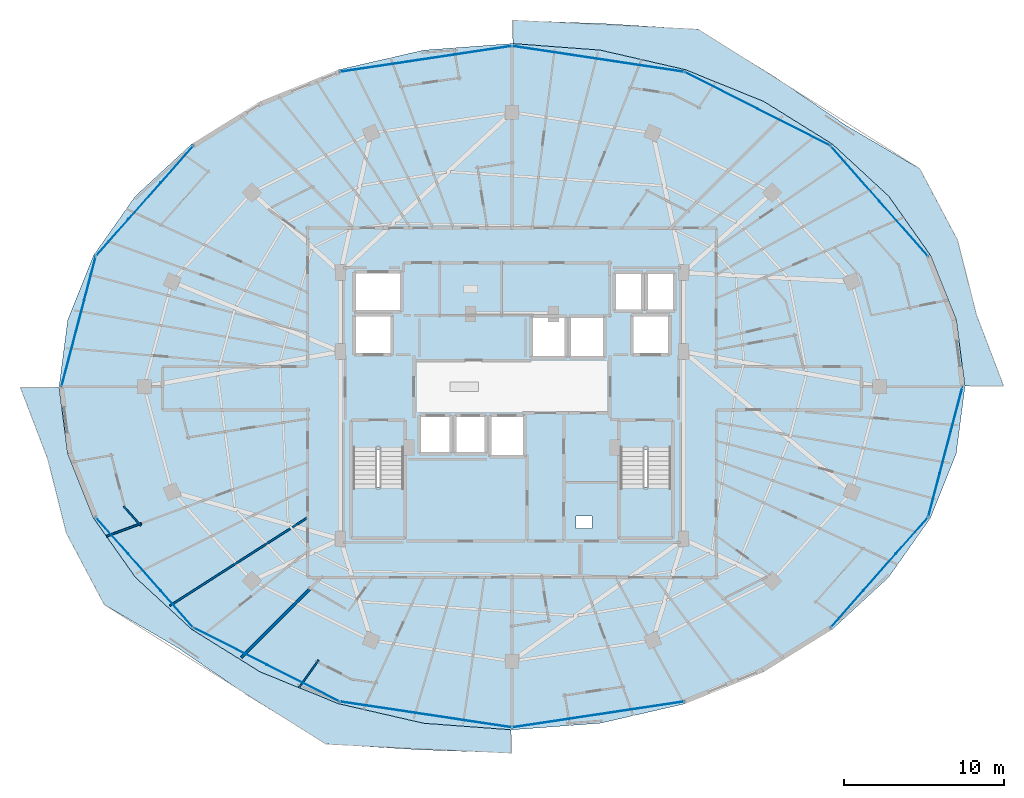
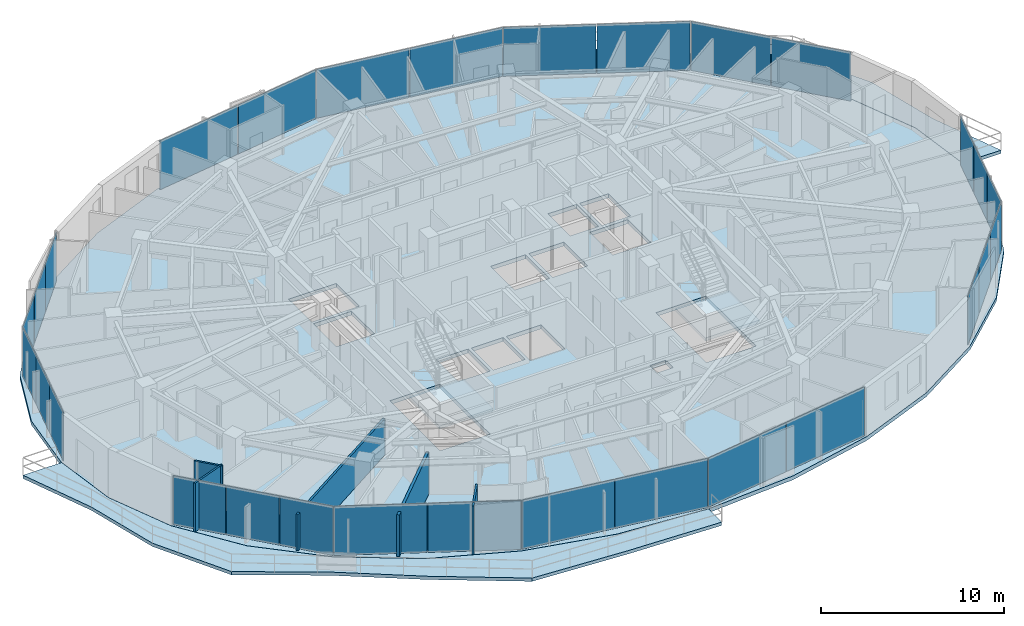
# One storey, part 23 of 34: 29 plates, 5 slabs, 5 walls, 6 elements without a shape of their own.
"""IFC4 building model written with IfcOpenShell, lengths in metres."""

from ifc_helpers import new_model, si_unit, direction, frame, frame_2d, origin, origin_2d, place, context, subcontext, project, spatial, polyline, rectangle, outline, extrude, material, layer, layer_set, type_object, element, aggregate, save


model = new_model("IFC4")

# Units and contexts
model_context = context("Model", 3, precision=1e-05, world=origin(), true_north=direction((0.0, 1.0)))
body_context = subcontext(model_context, "Body", "Model", "MODEL_VIEW")
ifc_project = project(units=[si_unit("LENGTHUNIT", "METRE"), si_unit("AREAUNIT", "SQUARE_METRE"), si_unit("VOLUMEUNIT", "CUBIC_METRE"), si_unit("PLANEANGLEUNIT", "RADIAN"), si_unit("MASSUNIT", "GRAM", prefix="KILO")], contexts=[model_context])

# Site, building, storey
site_placement = place(None, origin())
site = spatial("IfcSite", under=ifc_project, at=site_placement, CompositionType="ELEMENT")
building_placement = place(site_placement, origin())
building = spatial("IfcBuilding", under=site, at=building_placement, Name="Vorneva Point Tower", CompositionType="ELEMENT")
storey_placement = place(building_placement, frame((0.0, 0.0, 182.60009765625)))
storey = spatial("IfcBuildingStorey", under=building, at=storey_placement, Name="L49", CompositionType="ELEMENT", Elevation=182.60009765625)

# Curtain wall, plates
ifc_material_1 = material(Name="Pale anodised aluminium", Category="aluminium")
curtain_wall_type = type_object("IfcCurtainWallType", Name="CW-RES-SYS", PredefinedType="NOTDEFINED", material=ifc_material_1)
curtain_wall_1_placement = place(storey_placement, origin())
curtain_wall_1 = element("IfcCurtainWall", 1, at=curtain_wall_1_placement, inside=storey, type_object=curtain_wall_type, Name="L49 Unitised Curtain Wall CW-L49-R01", PredefinedType="NOTDEFINED")
ifc_material_2 = material(Name="Double low-e laminated glass IGU", Category="glass")
ifc_layer_1 = layer(ifc_material_2, 0.035888671875)
ifc_layer_set_1 = layer_set([ifc_layer_1], Name="Double low-e laminated glass IGU")
plate_type = type_object("IfcPlateType", Name="CW-PNL-VIS", PredefinedType="CURTAIN_PANEL", material=ifc_layer_set_1)
plate_1_placement = place(storey_placement, frame((62.55126953125, 35.90185546875, -0.02001953125), z_axis=(0.0, 0.0, 1.0), x_axis=(-0.662110096764, 0.74940657841, 0.0)))
plate_1 = element("IfcPlate", 2, at=plate_1_placement, type_object=plate_type, Name="CW-L49-R01 Glazed Panel 01A", PredefinedType="CURTAIN_PANEL", context=body_context, shape_type="SweptSolid", body=[
    extrude(rectangle(XDim=4.5712890625, YDim=0.035888671875, at=origin_2d()), origin(), (0.0, 0.0, 1.0), 3.280029296875),
])
plate_2_placement = place(storey_placement, frame((59.491455078125, 39.364990234375, -0.02001953125), z_axis=(0.0, 0.0, 1.0), x_axis=(-0.662110096764, 0.74940657841, 0.0)))
plate_2 = element("IfcPlate", 3, at=plate_2_placement, type_object=plate_type, Name="CW-L49-R01 Glazed Panel 01B", PredefinedType="CURTAIN_PANEL", context=body_context, shape_type="SweptSolid", body=[
    extrude(rectangle(XDim=4.5712890625, YDim=0.035888671875, at=origin_2d()), origin(), (0.0, 0.0, 1.0), 3.280029296875),
])
plate_3_placement = place(storey_placement, frame((55.672119140625, 42.253662109375, -0.02001953125), z_axis=(0.0, 0.0, 1.0), x_axis=(-0.892514983762, 0.451017742179, 0.0)))
plate_3 = element("IfcPlate", 4, at=plate_3_placement, type_object=plate_type, Name="CW-L49-R01 Glazed Panel 02A", PredefinedType="CURTAIN_PANEL", context=body_context, shape_type="SweptSolid", body=[
    extrude(rectangle(XDim=5.080810546875, YDim=0.035888671875, at=origin_2d()), origin(), (0.0, 0.0, 1.0), 3.280029296875),
])
plate_4_placement = place(storey_placement, frame((51.0927734375, 44.56787109375, -0.02001953125), z_axis=(0.0, 0.0, 1.0), x_axis=(-0.892514983762, 0.451017742179, 0.0)))
plate_4 = element("IfcPlate", 5, at=plate_4_placement, type_object=plate_type, Name="CW-L49-R01 Glazed Panel 02B", PredefinedType="CURTAIN_PANEL", context=body_context, shape_type="SweptSolid", body=[
    extrude(rectangle(XDim=5.080810546875, YDim=0.035888671875, at=origin_2d()), origin(), (0.0, 0.0, 1.0), 3.280029296875),
])
plate_5_placement = place(storey_placement, frame((46.102294921875, 46.131103515625, -0.02001953125), z_axis=(0.0, 0.0, 1.0), x_axis=(-0.988873520862, 0.148758729957, 0.0)))
plate_5 = element("IfcPlate", 6, at=plate_5_placement, type_object=plate_type, Name="CW-L49-R01 Glazed Panel 03A", PredefinedType="CURTAIN_PANEL", context=body_context, shape_type="SweptSolid", body=[
    extrude(rectangle(XDim=5.412353515625, YDim=0.035888671875, at=origin_2d()), origin(), (0.0, 0.0, 1.0), 3.280029296875),
])
plate_6_placement = place(storey_placement, frame((40.70068359375, 46.943603515625, -0.02001953125), z_axis=(0.0, 0.0, 1.0), x_axis=(-0.988873520862, 0.148758729957, 0.0)))
plate_6 = element("IfcPlate", 7, at=plate_6_placement, type_object=plate_type, Name="CW-L49-R01 Glazed Panel 03B", PredefinedType="CURTAIN_PANEL", context=body_context, shape_type="SweptSolid", body=[
    extrude(rectangle(XDim=5.412353515625, YDim=0.035888671875, at=origin_2d()), origin(), (0.0, 0.0, 1.0), 3.280029296875),
])
plate_7_placement = place(storey_placement, frame((35.29931640625, 46.943603515625, -0.02001953125), z_axis=(0.0, 0.0, 1.0), x_axis=(-0.988873520862, -0.148758729957, 0.0)))
plate_7 = element("IfcPlate", 8, at=plate_7_placement, type_object=plate_type, Name="CW-L49-R01 Glazed Panel 04A", PredefinedType="CURTAIN_PANEL", context=body_context, shape_type="SweptSolid", body=[
    extrude(rectangle(XDim=5.412353515625, YDim=0.035888671875, at=origin_2d()), origin(), (0.0, 0.0, 1.0), 3.280029296875),
])
plate_8_placement = place(storey_placement, frame((29.897705078125, 46.131103515625, -0.02001953125), z_axis=(0.0, 0.0, 1.0), x_axis=(-0.988873520862, -0.148758729957, 0.0)))
plate_8 = element("IfcPlate", 9, at=plate_8_placement, type_object=plate_type, Name="CW-L49-R01 Glazed Panel 04B", PredefinedType="CURTAIN_PANEL", context=body_context, shape_type="SweptSolid", body=[
    extrude(rectangle(XDim=5.412353515625, YDim=0.035888671875, at=origin_2d()), origin(), (0.0, 0.0, 1.0), 3.280029296875),
])
aggregate(curtain_wall_1, [plate_1, plate_2, plate_3, plate_4, plate_5, plate_6, plate_7, plate_8])

curtain_wall_2_placement = place(storey_placement, origin())
curtain_wall_2 = element("IfcCurtainWall", 10, at=curtain_wall_2_placement, inside=storey, type_object=curtain_wall_type, Name="L49 Unitised Curtain Wall CW-L49-R02", PredefinedType="NOTDEFINED")
plate_9_placement = place(storey_placement, frame((17.0185546875, 39.9423828125, -0.02001953125), z_axis=(0.0, 0.0, 1.0), x_axis=(-0.662110096764, -0.74940657841, 0.0)))
plate_9 = element("IfcPlate", 11, at=plate_9_placement, type_object=plate_type, Name="CW-L49-R02 Glazed Panel 01A", PredefinedType="CURTAIN_PANEL", context=body_context, shape_type="SweptSolid", body=[
    extrude(rectangle(XDim=3.03076171875, YDim=0.035888671875, at=origin_2d()), origin(), (0.0, 0.0, 1.0), 3.280029296875),
])
plate_10_placement = place(storey_placement, frame((14.978759765625, 37.633544921875, -0.02001953125), z_axis=(0.0, 0.0, 1.0), x_axis=(-0.662110096764, -0.74940657841, 0.0)))
plate_10 = element("IfcPlate", 12, at=plate_10_placement, type_object=plate_type, Name="CW-L49-R02 Glazed Panel 01B", PredefinedType="CURTAIN_PANEL", context=body_context, shape_type="SweptSolid", body=[
    extrude(rectangle(XDim=3.03076171875, YDim=0.035888671875, at=origin_2d()), origin(), (0.0, 0.0, 1.0), 3.280029296875),
])
plate_11_placement = place(storey_placement, frame((12.938720703125, 35.32470703125, -0.02001953125), z_axis=(0.0, 0.0, 1.0), x_axis=(-0.662110096764, -0.74940657841, 0.0)))
plate_11 = element("IfcPlate", 13, at=plate_11_placement, type_object=plate_type, Name="CW-L49-R02 Glazed Panel 01C", PredefinedType="CURTAIN_PANEL", context=body_context, shape_type="SweptSolid", body=[
    extrude(rectangle(XDim=3.03076171875, YDim=0.035888671875, at=origin_2d()), origin(), (0.0, 0.0, 1.0), 3.280029296875),
])
plate_12_placement = place(storey_placement, frame((11.560791015625, 32.80859375, -0.02001953125), z_axis=(0.0, 0.0, 1.0), x_axis=(-0.254365646708, -0.967108121036, 0.0)))
plate_12 = element("IfcPlate", 14, at=plate_12_placement, type_object=plate_type, Name="CW-L49-R02 Glazed Panel 02A", PredefinedType="CURTAIN_PANEL", context=body_context, shape_type="SweptSolid", body=[
    extrude(rectangle(XDim=2.76611328125, YDim=0.035888671875, at=origin_2d()), origin(), (0.0, 0.0, 1.0), 3.280029296875),
])
plate_13_placement = place(storey_placement, frame((10.844482421875, 30.085205078125, -0.02001953125), z_axis=(0.0, 0.0, 1.0), x_axis=(-0.254365646708, -0.967108121036, 0.0)))
plate_13 = element("IfcPlate", 15, at=plate_13_placement, type_object=plate_type, Name="CW-L49-R02 Glazed Panel 02B", PredefinedType="CURTAIN_PANEL", context=body_context, shape_type="SweptSolid", body=[
    extrude(rectangle(XDim=2.76611328125, YDim=0.035888671875, at=origin_2d()), origin(), (0.0, 0.0, 1.0), 3.280029296875),
])
plate_14_placement = place(storey_placement, frame((10.128173828125, 27.36181640625, -0.02001953125), z_axis=(0.0, 0.0, 1.0), x_axis=(-0.254365646708, -0.967108121036, 0.0)))
plate_14 = element("IfcPlate", 16, at=plate_14_placement, type_object=plate_type, Name="CW-L49-R02 Glazed Panel 02C", PredefinedType="CURTAIN_PANEL", context=body_context, shape_type="SweptSolid", body=[
    extrude(rectangle(XDim=2.76611328125, YDim=0.035888671875, at=origin_2d()), origin(), (0.0, 0.0, 1.0), 3.280029296875),
])
aggregate(curtain_wall_2, [plate_9, plate_10, plate_11, plate_12, plate_13, plate_14])

curtain_wall_3_placement = place(storey_placement, origin())
curtain_wall_3 = element("IfcCurtainWall", 17, at=curtain_wall_3_placement, inside=storey, type_object=curtain_wall_type, Name="L49 Unitised Curtain Wall CW-L49-R03", PredefinedType="NOTDEFINED")
plate_15_placement = place(storey_placement, frame((12.938720703125, 16.67529296875, -0.02001953125), z_axis=(0.0, 0.0, 1.0), x_axis=(0.662110096764, -0.74940657841, 0.0)))
plate_15 = element("IfcPlate", 18, at=plate_15_placement, type_object=plate_type, Name="CW-L49-R03 Glazed Panel 01A", PredefinedType="CURTAIN_PANEL", context=body_context, shape_type="SweptSolid", body=[
    extrude(rectangle(XDim=3.03076171875, YDim=0.035888671875, at=origin_2d()), origin(), (0.0, 0.0, 1.0), 3.280029296875),
])
plate_16_placement = place(storey_placement, frame((14.978759765625, 14.366455078125, -0.02001953125), z_axis=(0.0, 0.0, 1.0), x_axis=(0.662110096764, -0.74940657841, 0.0)))
plate_16 = element("IfcPlate", 19, at=plate_16_placement, type_object=plate_type, Name="CW-L49-R03 Glazed Panel 01B", PredefinedType="CURTAIN_PANEL", context=body_context, shape_type="SweptSolid", body=[
    extrude(rectangle(XDim=3.03076171875, YDim=0.035888671875, at=origin_2d()), origin(), (0.0, 0.0, 1.0), 3.280029296875),
])
plate_17_placement = place(storey_placement, frame((17.0185546875, 12.0576171875, -0.02001953125), z_axis=(0.0, 0.0, 1.0), x_axis=(0.662110096764, -0.74940657841, 0.0)))
plate_17 = element("IfcPlate", 20, at=plate_17_placement, type_object=plate_type, Name="CW-L49-R03 Glazed Panel 01C", PredefinedType="CURTAIN_PANEL", context=body_context, shape_type="SweptSolid", body=[
    extrude(rectangle(XDim=3.03076171875, YDim=0.035888671875, at=origin_2d()), origin(), (0.0, 0.0, 1.0), 3.280029296875),
])
plate_18_placement = place(storey_placement, frame((20.327880859375, 9.746337890625, -0.02001953125), z_axis=(0.0, 0.0, 1.0), x_axis=(0.892514983762, -0.451017742179, 0.0)))
plate_18 = element("IfcPlate", 21, at=plate_18_placement, type_object=plate_type, Name="CW-L49-R03 Glazed Panel 02A", PredefinedType="CURTAIN_PANEL", context=body_context, shape_type="SweptSolid", body=[
    extrude(rectangle(XDim=5.080810546875, YDim=0.035888671875, at=origin_2d()), origin(), (0.0, 0.0, 1.0), 3.280029296875),
])
plate_19_placement = place(storey_placement, frame((24.9072265625, 7.43212890625, -0.02001953125), z_axis=(0.0, 0.0, 1.0), x_axis=(0.892514983762, -0.451017742179, 0.0)))
plate_19 = element("IfcPlate", 22, at=plate_19_placement, type_object=plate_type, Name="CW-L49-R03 Glazed Panel 02B", PredefinedType="CURTAIN_PANEL", context=body_context, shape_type="SweptSolid", body=[
    extrude(rectangle(XDim=5.080810546875, YDim=0.035888671875, at=origin_2d()), origin(), (0.0, 0.0, 1.0), 3.280029296875),
])
plate_20_placement = place(storey_placement, frame((29.897705078125, 5.868896484375, -0.02001953125), z_axis=(0.0, 0.0, 1.0), x_axis=(0.988873520862, -0.148758729957, 0.0)))
plate_20 = element("IfcPlate", 23, at=plate_20_placement, type_object=plate_type, Name="CW-L49-R03 Glazed Panel 03A", PredefinedType="CURTAIN_PANEL", context=body_context, shape_type="SweptSolid", body=[
    extrude(rectangle(XDim=5.412353515625, YDim=0.035888671875, at=origin_2d()), origin(), (0.0, 0.0, 1.0), 3.280029296875),
])
plate_21_placement = place(storey_placement, frame((35.29931640625, 5.056396484375, -0.02001953125), z_axis=(0.0, 0.0, 1.0), x_axis=(0.988873520862, -0.148758729957, 0.0)))
plate_21 = element("IfcPlate", 24, at=plate_21_placement, type_object=plate_type, Name="CW-L49-R03 Glazed Panel 03B", PredefinedType="CURTAIN_PANEL", context=body_context, shape_type="SweptSolid", body=[
    extrude(rectangle(XDim=5.412353515625, YDim=0.035888671875, at=origin_2d()), origin(), (0.0, 0.0, 1.0), 3.280029296875),
])
plate_22_placement = place(storey_placement, frame((40.70068359375, 5.056396484375, -0.02001953125), z_axis=(0.0, 0.0, 1.0), x_axis=(0.988873520862, 0.148758729957, 0.0)))
plate_22 = element("IfcPlate", 25, at=plate_22_placement, type_object=plate_type, Name="CW-L49-R03 Glazed Panel 04A", PredefinedType="CURTAIN_PANEL", context=body_context, shape_type="SweptSolid", body=[
    extrude(rectangle(XDim=5.412353515625, YDim=0.035888671875, at=origin_2d()), origin(), (0.0, 0.0, 1.0), 3.280029296875),
])
plate_23_placement = place(storey_placement, frame((46.102294921875, 5.868896484375, -0.02001953125), z_axis=(0.0, 0.0, 1.0), x_axis=(0.988873520862, 0.148758729957, 0.0)))
plate_23 = element("IfcPlate", 26, at=plate_23_placement, type_object=plate_type, Name="CW-L49-R03 Glazed Panel 04B", PredefinedType="CURTAIN_PANEL", context=body_context, shape_type="SweptSolid", body=[
    extrude(rectangle(XDim=5.412353515625, YDim=0.035888671875, at=origin_2d()), origin(), (0.0, 0.0, 1.0), 3.280029296875),
])
aggregate(curtain_wall_3, [plate_15, plate_16, plate_17, plate_18, plate_19, plate_20, plate_21, plate_22, plate_23])

curtain_wall_4_placement = place(storey_placement, origin())
curtain_wall_4 = element("IfcCurtainWall", 27, at=curtain_wall_4_placement, inside=storey, type_object=curtain_wall_type, Name="L49 Unitised Curtain Wall CW-L49-R04", PredefinedType="NOTDEFINED")
plate_24_placement = place(storey_placement, frame((58.9814453125, 12.0576171875, -0.02001953125), z_axis=(0.0, 0.0, 1.0), x_axis=(0.662110096764, 0.74940657841, 0.0)))
plate_24 = element("IfcPlate", 28, at=plate_24_placement, type_object=plate_type, Name="CW-L49-R04 Glazed Panel 01A", PredefinedType="CURTAIN_PANEL", context=body_context, shape_type="SweptSolid", body=[
    extrude(rectangle(XDim=3.03076171875, YDim=0.035888671875, at=origin_2d()), origin(), (0.0, 0.0, 1.0), 3.280029296875),
])
plate_25_placement = place(storey_placement, frame((61.021240234375, 14.366455078125, -0.02001953125), z_axis=(0.0, 0.0, 1.0), x_axis=(0.662110096764, 0.74940657841, 0.0)))
plate_25 = element("IfcPlate", 29, at=plate_25_placement, type_object=plate_type, Name="CW-L49-R04 Glazed Panel 01B", PredefinedType="CURTAIN_PANEL", context=body_context, shape_type="SweptSolid", body=[
    extrude(rectangle(XDim=3.03076171875, YDim=0.035888671875, at=origin_2d()), origin(), (0.0, 0.0, 1.0), 3.280029296875),
])
plate_26_placement = place(storey_placement, frame((63.061279296875, 16.67529296875, -0.02001953125), z_axis=(0.0, 0.0, 1.0), x_axis=(0.662110096764, 0.74940657841, 0.0)))
plate_26 = element("IfcPlate", 30, at=plate_26_placement, type_object=plate_type, Name="CW-L49-R04 Glazed Panel 01C", PredefinedType="CURTAIN_PANEL", context=body_context, shape_type="SweptSolid", body=[
    extrude(rectangle(XDim=3.03076171875, YDim=0.035888671875, at=origin_2d()), origin(), (0.0, 0.0, 1.0), 3.280029296875),
])
plate_27_placement = place(storey_placement, frame((64.439208984375, 19.19140625, -0.02001953125), z_axis=(0.0, 0.0, 1.0), x_axis=(0.254365646708, 0.967108121036, 0.0)))
plate_27 = element("IfcPlate", 31, at=plate_27_placement, type_object=plate_type, Name="CW-L49-R04 Glazed Panel 02A", PredefinedType="CURTAIN_PANEL", context=body_context, shape_type="SweptSolid", body=[
    extrude(rectangle(XDim=2.76611328125, YDim=0.035888671875, at=origin_2d()), origin(), (0.0, 0.0, 1.0), 3.280029296875),
])
plate_28_placement = place(storey_placement, frame((65.155517578125, 21.914794921875, -0.02001953125), z_axis=(0.0, 0.0, 1.0), x_axis=(0.254365646708, 0.967108121036, 0.0)))
plate_28 = element("IfcPlate", 32, at=plate_28_placement, type_object=plate_type, Name="CW-L49-R04 Glazed Panel 02B", PredefinedType="CURTAIN_PANEL", context=body_context, shape_type="SweptSolid", body=[
    extrude(rectangle(XDim=2.76611328125, YDim=0.035888671875, at=origin_2d()), origin(), (0.0, 0.0, 1.0), 3.280029296875),
])
plate_29_placement = place(storey_placement, frame((65.871826171875, 24.63818359375, -0.02001953125), z_axis=(0.0, 0.0, 1.0), x_axis=(0.254365646708, 0.967108121036, 0.0)))
plate_29 = element("IfcPlate", 33, at=plate_29_placement, type_object=plate_type, Name="CW-L49-R04 Glazed Panel 02C", PredefinedType="CURTAIN_PANEL", context=body_context, shape_type="SweptSolid", body=[
    extrude(rectangle(XDim=2.76611328125, YDim=0.035888671875, at=origin_2d()), origin(), (0.0, 0.0, 1.0), 3.280029296875),
])
aggregate(curtain_wall_4, [plate_24, plate_25, plate_26, plate_27, plate_28, plate_29])

# Slabs
ifc_material_3 = material(Name="Concrete B50 (C40/50)", Category="concrete")
ifc_layer_2 = layer(ifc_material_3, 0.219970703125)
ifc_layer_set_2 = layer_set([ifc_layer_2], Name="Concrete B50 (C40/50)")
slab_type_1 = type_object("IfcSlabType", Name="SLB-BAL-220", PredefinedType="FLOOR", material=ifc_layer_set_2)
slab_1_placement = place(storey_placement, frame((0.0, 0.0, -0.22021484375)))
element("IfcSlab", 34, at=slab_1_placement, inside=storey, type_object=slab_type_1, Name="L49 Cantilevered Wave Balcony NE", PredefinedType="FLOOR", context=body_context, shape_type="SweptSolid", body=[
    extrude(outline(polyline([(38.050048828125, 48.953125), (38.050048828125, 47.500244140625), (43.537109375, 47.0908203125), (43.537353515625, 47.0908203125), (43.53759765625, 47.0908203125), (48.861572265625, 45.8671875), (48.86181640625, 45.8671875), (48.862060546875, 45.8671875), (53.7685546875, 43.88037109375), (53.768798828125, 43.880126953125), (53.769287109375, 43.8798828125), (58.06982421875, 41.206298828125), (58.070068359375, 41.2060546875), (58.0703125, 41.205810546875), (61.599853515625, 37.94775390625), (61.60009765625, 37.947509765625), (61.600341796875, 37.947021484375), (64.222900390625, 34.22998046875), (64.22314453125, 34.2294921875), (64.223388671875, 34.229248046875), (65.83837890625, 30.19580078125), (65.83837890625, 30.195556640625), (65.838623046875, 30.1953125), (65.838623046875, 30.19482421875), (66.37744140625, 26.050048828125), (68.805908203125, 26.050048828125), (67.09521484375, 30.525390625), (65.9306640625, 35.1630859375), (63.544677734375, 39.662353515625), (58.9462890625, 42.362548828125), (54.52685546875, 45.37744140625), (49.654052734375, 48.391845703125), (43.787353515625, 48.750244140625), (38.050048828125, 48.953125)])), origin(), (0.0, 0.0, 1.0), 0.22021484375),
])
slab_2_placement = place(storey_placement, frame((0.0, 0.0, -0.22021484375)))
element("IfcSlab", 35, at=slab_2_placement, inside=storey, type_object=slab_type_1, Name="L49 Cantilevered Wave Balcony SW", PredefinedType="FLOOR", context=body_context, shape_type="SweptSolid", body=[
    extrude(outline(polyline([(37.949951171875, 3.046875), (37.949951171875, 4.499755859375), (32.462890625, 4.9091796875), (32.462646484375, 4.9091796875), (32.46240234375, 4.9091796875), (27.138427734375, 6.1328125), (27.13818359375, 6.1328125), (27.137939453125, 6.1328125), (22.2314453125, 8.11962890625), (22.231201171875, 8.119873046875), (22.230712890625, 8.1201171875), (17.93017578125, 10.793701171875), (17.929931640625, 10.7939453125), (17.9296875, 10.794189453125), (14.400146484375, 14.05224609375), (14.39990234375, 14.052490234375), (14.399658203125, 14.052978515625), (11.777099609375, 17.77001953125), (11.77685546875, 17.7705078125), (11.776611328125, 17.770751953125), (10.16162109375, 21.80419921875), (10.16162109375, 21.804443359375), (10.161376953125, 21.8046875), (10.161376953125, 21.80517578125), (9.62255859375, 25.949951171875), (7.194091796875, 25.949951171875), (8.90478515625, 21.474609375), (10.0693359375, 16.8369140625), (12.455322265625, 12.337646484375), (17.0537109375, 9.637451171875), (21.47314453125, 6.62255859375), (26.345947265625, 3.608154296875), (32.212646484375, 3.249755859375), (37.949951171875, 3.046875)])), origin(), (0.0, 0.0, 1.0), 0.22021484375),
])

# Stair, slab
stair_type = type_object("IfcStairType", Name="ST-DOG-1500", PredefinedType="HALF_TURN_STAIR", material=ifc_material_3)
stair_1_placement = place(storey_placement, origin())
stair_1 = element("IfcStair", 36, at=stair_1_placement, inside=storey, type_object=stair_type, Name="L49 ST1", PredefinedType="HALF_TURN_STAIR")
ifc_layer_3 = layer(ifc_material_3, 0.199951171875)
ifc_layer_set_3 = layer_set([ifc_layer_3], Name="Concrete B50 (C40/50)")
slab_type_2 = type_object("IfcSlabType", Name="SLB-LND-200", PredefinedType="LANDING", material=ifc_layer_set_3)
slab_3_placement = place(storey_placement, frame((0.0, 0.0, 1.5498046875)))
slab_3 = element("IfcSlab", 37, at=slab_3_placement, type_object=slab_type_2, Name="ST1 landing 1", PredefinedType="LANDING", context=body_context, shape_type="SweptSolid", body=[
    extrude(outline(polyline([(27.929931640625, 16.47998046875), (31.320068359375, 16.47998046875), (31.320068359375, 19.72998046875), (27.929931640625, 19.72998046875), (27.929931640625, 16.47998046875)])), origin(), (0.0, 0.0, 1.0), 0.2001953125),
])
aggregate(stair_1, [slab_3])

stair_2_placement = place(storey_placement, origin())
stair_2 = element("IfcStair", 38, at=stair_2_placement, inside=storey, type_object=stair_type, Name="L49 ST2", PredefinedType="HALF_TURN_STAIR")
slab_4_placement = place(storey_placement, frame((0.0, 0.0, 1.5498046875)))
slab_4 = element("IfcSlab", 39, at=slab_4_placement, type_object=slab_type_2, Name="ST2 landing 1", PredefinedType="LANDING", context=body_context, shape_type="SweptSolid", body=[
    extrude(outline(polyline([(44.679931640625, 16.47998046875), (48.070068359375, 16.47998046875), (48.070068359375, 19.72998046875), (44.679931640625, 19.72998046875), (44.679931640625, 16.47998046875)])), origin(), (0.0, 0.0, 1.0), 0.2001953125),
])
aggregate(stair_2, [slab_4])

# Slab
ifc_layer_4 = layer(ifc_material_3, 0.260009765625)
ifc_layer_set_4 = layer_set([ifc_layer_4], Name="Concrete B50 (C40/50)")
slab_type_3 = type_object("IfcSlabType", Name="SLB-TYP-260", PredefinedType="FLOOR", material=ifc_layer_set_4)
slab_5_placement = place(storey_placement, frame((0.0, 0.0, -0.260009765625)))
element("IfcSlab", 40, at=slab_5_placement, inside=storey, type_object=slab_type_3, Name="L49 Structural Floor Plate", PredefinedType="FLOOR", context=body_context, shape_type="SweptSolid", body=[
    extrude(outline(polyline([(66.3798828125, 26.0), (65.834716796875, 30.1943359375), (64.2197265625, 34.227783203125), (61.59716796875, 37.94482421875), (58.067626953125, 41.202880859375), (53.76708984375, 43.876708984375), (48.860595703125, 45.86328125), (43.53662109375, 47.0869140625), (38.0, 47.5), (32.46337890625, 47.0869140625), (27.139404296875, 45.86328125), (22.23291015625, 43.876708984375), (17.932373046875, 41.202880859375), (14.40283203125, 37.94482421875), (11.7802734375, 34.227783203125), (10.165283203125, 30.1943359375), (9.6201171875, 26.0), (10.165283203125, 21.8056640625), (11.7802734375, 17.772216796875), (14.40283203125, 14.05517578125), (17.932373046875, 10.797119140625), (22.23291015625, 8.123291015625), (27.139404296875, 6.13671875), (32.46337890625, 4.9130859375), (38.0, 4.5), (43.53662109375, 4.9130859375), (48.860595703125, 6.13671875), (53.76708984375, 8.123291015625), (58.067626953125, 10.797119140625), (61.59716796875, 14.05517578125), (64.2197265625, 17.772216796875), (65.834716796875, 21.8056640625), (66.3798828125, 26.0)]), holes=[polyline([(32.199951171875, 21.800048828125), (34.199951171875, 21.800048828125), (34.199951171875, 24.199951171875), (32.199951171875, 24.199951171875), (32.199951171875, 21.800048828125)]), polyline([(34.39990234375, 21.800048828125), (36.39990234375, 21.800048828125), (36.39990234375, 24.199951171875), (34.39990234375, 24.199951171875), (34.39990234375, 21.800048828125)]), polyline([(36.60009765625, 21.60009765625), (38.800048828125, 21.60009765625), (38.800048828125, 24.199951171875), (36.60009765625, 24.199951171875), (36.60009765625, 21.60009765625)]), polyline([(39.199951171875, 27.800048828125), (41.39990234375, 27.800048828125), (41.39990234375, 30.39990234375), (39.199951171875, 30.39990234375), (39.199951171875, 27.800048828125)]), polyline([(41.60009765625, 27.800048828125), (43.800048828125, 27.800048828125), (43.800048828125, 30.39990234375), (41.60009765625, 30.39990234375), (41.60009765625, 27.800048828125)]), polyline([(44.39990234375, 30.739990234375), (46.199951171875, 30.739990234375), (46.199951171875, 33.159912109375), (44.39990234375, 33.159912109375), (44.39990234375, 30.739990234375)]), polyline([(46.39990234375, 30.739990234375), (48.199951171875, 30.739990234375), (48.199951171875, 33.159912109375), (46.39990234375, 33.159912109375), (46.39990234375, 30.739990234375)]), polyline([(28.10009765625, 28.0), (30.5, 28.0), (30.5, 30.5), (28.10009765625, 30.5), (28.10009765625, 28.0)]), polyline([(45.5, 28.0), (47.89990234375, 28.0), (47.89990234375, 30.5), (45.5, 30.5), (45.5, 28.0)]), polyline([(28.10009765625, 30.699951171875), (31.10009765625, 30.699951171875), (31.10009765625, 33.199951171875), (28.10009765625, 33.199951171875), (28.10009765625, 30.699951171875)]), polyline([(28.050048828125, 16.60009765625), (31.199951171875, 16.60009765625), (31.199951171875, 22.080078125), (28.050048828125, 22.080078125), (28.050048828125, 16.60009765625)]), polyline([(44.800048828125, 16.60009765625), (47.949951171875, 16.60009765625), (47.949951171875, 22.080078125), (44.800048828125, 22.080078125), (44.800048828125, 16.60009765625)]), polyline([(42.0, 17.10009765625), (43.0, 17.10009765625), (43.0, 17.89990234375), (42.0, 17.89990234375), (42.0, 17.10009765625)])]), origin(), (0.0, 0.0, 1.0), 0.260009765625),
])

# Walls
ifc_material_4 = material(Name="Fire-rated acoustic gypsum stud partition", Category="gypsum")
ifc_layer_5 = layer(ifc_material_4, 0.110107421875)
ifc_layer_set_5 = layer_set([ifc_layer_5], Name="Fire-rated acoustic gypsum stud partition")
wall_type_1 = type_object("IfcWallType", Name="WL-PART-110", PredefinedType="PARTITIONING", material=ifc_layer_set_5)
wall_1_placement = place(storey_placement, frame((13.664306640625, 18.510986328125, 0.0), z_axis=(0.0, 0.0, 1.0), x_axis=(0.662345628205, -0.749198417509, 0.0)))
element("IfcWall", 41, at=wall_1_placement, inside=storey, type_object=wall_type_1, Name="L49 Interior Partition 147", PredefinedType="PARTITIONING", context=body_context, shape_type="SweptSolid", body=[
    extrude(rectangle(XDim=1.638916015625, YDim=0.110107421875, at=frame_2d((0.8193359375, 0.0))), origin(), (0.0, 0.0, 1.0), 3.239990234375),
])
wall_2_placement = place(storey_placement, frame((12.603759765625, 16.630615234375, 0.0), z_axis=(0.0, 0.0, 1.0), x_axis=(0.938194450562, 0.346108614361, 0.0)))
element("IfcWall", 42, at=wall_2_placement, inside=storey, type_object=wall_type_1, Name="L49 Interior Partition 149", PredefinedType="PARTITIONING", context=body_context, shape_type="SweptSolid", body=[
    extrude(rectangle(XDim=2.328369140625, YDim=0.110107421875, at=frame_2d((1.1640625, 0.0))), origin(), (0.0, 0.0, 1.0), 3.239990234375),
])
wall_3_placement = place(storey_placement, frame((24.666259765625, 7.15380859375, 0.0), z_axis=(0.0, 0.0, 1.0), x_axis=(0.577389248155, 0.816469017241, 0.0)))
element("IfcWall", 43, at=wall_3_placement, inside=storey, type_object=wall_type_1, Name="L49 Interior Partition 157", PredefinedType="PARTITIONING", context=body_context, shape_type="SweptSolid", body=[
    extrude(rectangle(XDim=2.103515625, YDim=0.110107421875, at=frame_2d((1.0517578125, 0.0))), origin(), (0.0, 0.0, 1.0), 3.239990234375),
])
ifc_layer_6 = layer(ifc_material_4, 0.125)
ifc_layer_set_6 = layer_set([ifc_layer_6], Name="Fire-rated acoustic gypsum stud partition")
wall_type_2 = type_object("IfcWallType", Name="WL-PART-125", PredefinedType="PARTITIONING", material=ifc_layer_set_6)
wall_4_placement = place(storey_placement, frame((16.554931640625, 12.27197265625, 0.0), z_axis=(0.0, 0.0, 1.0), x_axis=(0.842221721565, 0.539131312135, 0.0)))
element("IfcWall", 44, at=wall_4_placement, inside=storey, type_object=wall_type_2, Name="L49 Interior Partition 151", PredefinedType="PARTITIONING", context=body_context, shape_type="SweptSolid", body=[
    extrude(rectangle(XDim=10.2646484375, YDim=0.125, at=frame_2d((5.13232421875, 0.0))), origin(), (0.0, 0.0, 1.0), 2.431884765625),
])
ifc_layer_7 = layer(ifc_material_4, 0.159912109375)
ifc_layer_set_7 = layer_set([ifc_layer_7], Name="Fire-rated acoustic gypsum stud partition")
wall_type_3 = type_object("IfcWallType", Name="WL-PART-160", PredefinedType="PARTITIONING", material=ifc_layer_set_7)
wall_5_placement = place(storey_placement, frame((21.041015625, 9.041015625, 0.0), z_axis=(0.0, 0.0, 1.0), x_axis=(0.707106781187, 0.707106781187, 0.0)))
element("IfcWall", 45, at=wall_5_placement, inside=storey, type_object=wall_type_3, Name="L49 Interior Partition 153", PredefinedType="PARTITIONING", context=body_context, shape_type="SweptSolid", body=[
    extrude(rectangle(XDim=6.17578125, YDim=0.159912109375, at=frame_2d((3.087890625, 0.0))), origin(), (0.0, 0.0, 1.0), 2.77392578125),
])

save(model, "model.ifc")
